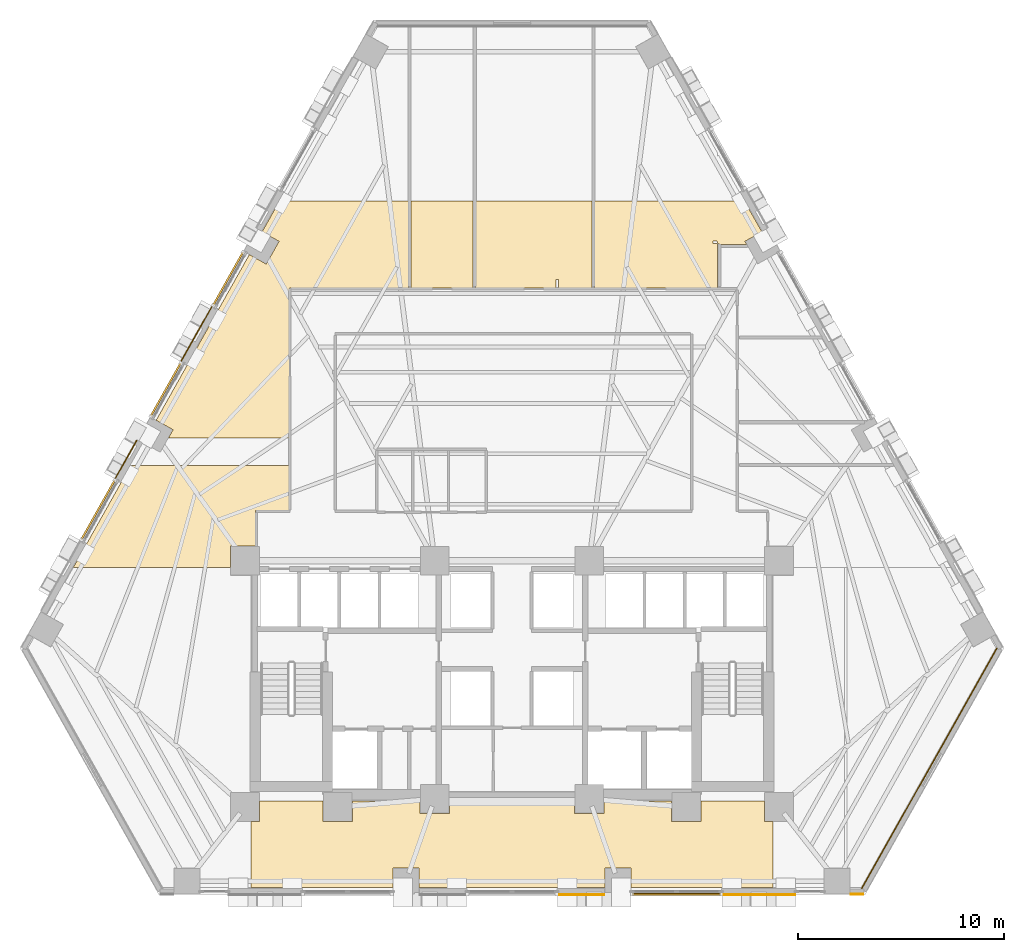
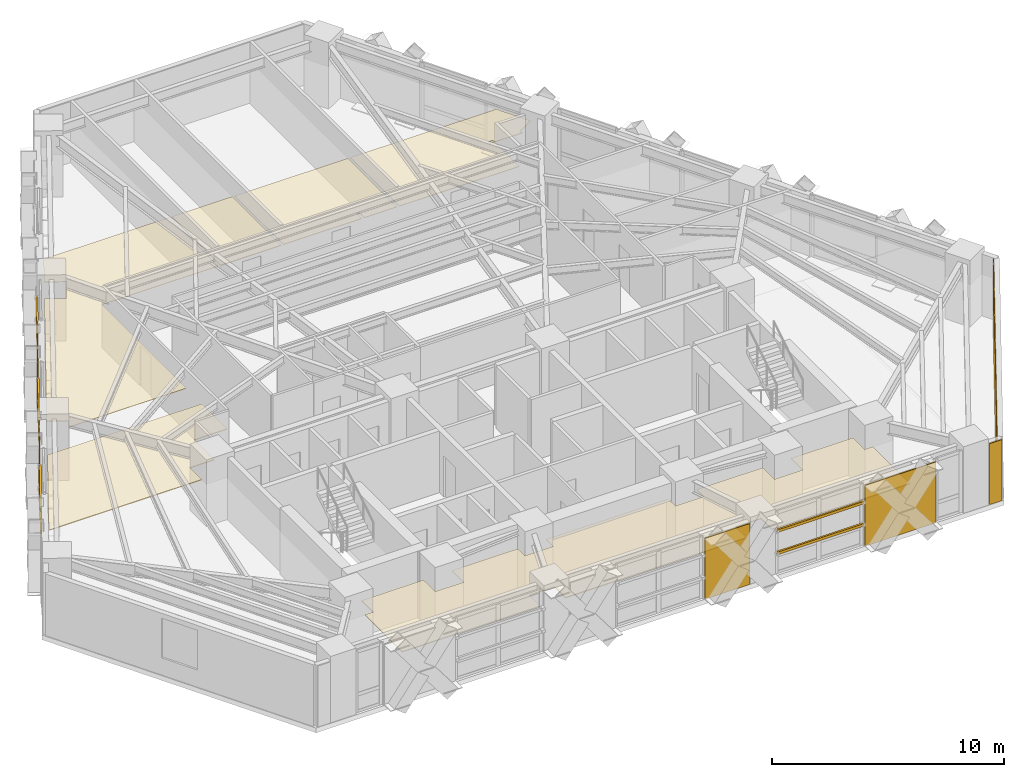
# One storey, part 11 of 13: 12 coverings, 8 shading devices.
"""IFC4 building model written with IfcOpenShell, lengths in metres."""

from ifc_helpers import new_model, si_unit, direction, frame, origin, origin_2d, place, context, subcontext, project, spatial, polyline, rectangle, outline, extrude, material, layer, layer_set, material_profile, profile_set, type_object, element, save


model = new_model("IFC4")

# Units and contexts
model_context = context("Model", 3, precision=1e-05, world=origin(), true_north=direction((0.0, 1.0)))
body_context = subcontext(model_context, "Body", "Model", "MODEL_VIEW")
ifc_project = project(units=[si_unit("LENGTHUNIT", "METRE"), si_unit("AREAUNIT", "SQUARE_METRE"), si_unit("VOLUMEUNIT", "CUBIC_METRE"), si_unit("PLANEANGLEUNIT", "RADIAN"), si_unit("MASSUNIT", "GRAM", prefix="KILO")], contexts=[model_context])

# Site, building, storey
site_placement = place(None, origin())
site = spatial("IfcSite", under=ifc_project, at=site_placement, CompositionType="ELEMENT")
building_placement = place(site_placement, origin())
building = spatial("IfcBuilding", under=site, at=building_placement, Name="Quenlor Broadcast Tower", CompositionType="ELEMENT")
storey_placement = place(building_placement, frame((0.0, 0.0, 31.10009765625)))
storey = spatial("IfcBuildingStorey", under=building, at=storey_placement, Name="L07", CompositionType="ELEMENT", Elevation=31.10009765625)

# Coverings
ifc_material_1 = material(Name="Acoustic Mineral Fibre Board", Category="other")
ifc_layer_1 = layer(ifc_material_1, 0.02490234375)
ifc_layer_set_1 = layer_set([ifc_layer_1], Name="Acoustic Perforated Mineral Tile Ceiling 25")
covering_type_1 = type_object("IfcCoveringType", Name="Acoustic Perforated Mineral Tile Ceiling 25", PredefinedType="CEILING", material=ifc_layer_set_1)
covering_1_placement = place(storey_placement, frame((0.0, 0.0, 2.224853515625)))
element("IfcCovering", 1, at=covering_1_placement, inside=storey, type_object=covering_type_1, Name="L07 Acoustic Ceiling L07-32", PredefinedType="CEILING", context=body_context, shape_type="SweptSolid", body=[
    extrude(outline(polyline([(-1.765869140625, 8.429931640625), (-1.765869140625, 12.64990234375), (3.8798828125, 12.64990234375), (3.8798828125, 8.429931640625), (2.260009765625, 8.429931640625), (2.260009765625, 8.85009765625), (2.139892578125, 8.85009765625), (2.139892578125, 8.429931640625), (-1.765869140625, 8.429931640625)])), origin(), (0.0, 0.0, 1.0), 0.025146484375),
])
covering_2_placement = place(storey_placement, frame((0.0, 0.0, 2.224853515625)))
element("IfcCovering", 2, at=covering_2_placement, inside=storey, type_object=covering_type_1, Name="L07 Acoustic Ceiling L07-33", PredefinedType="CEILING", context=body_context, shape_type="SweptSolid", body=[
    extrude(outline(polyline([(10.04248046875, 10.561279296875), (10.0166015625, 10.5751953125), (9.993896484375, 10.593994140625), (9.975341796875, 10.61669921875), (9.96142578125, 10.642578125), (9.952880859375, 10.670654296875), (9.949951171875, 10.699951171875), (9.75, 10.699951171875), (9.75, 10.580078125), (9.97998046875, 10.580078125), (9.97998046875, 8.429931640625), (4.0, 8.429931640625), (4.0, 12.64990234375), (11.27587890625, 12.64990234375), (12.122802734375, 11.154541015625), (11.301025390625, 10.6923828125), (11.381103515625, 10.550048828125), (10.10009765625, 10.550048828125), (10.07080078125, 10.552978515625), (10.04248046875, 10.561279296875)])), origin(), (0.0, 0.0, 1.0), 0.025146484375),
])
covering_3_placement = place(storey_placement, frame((0.0, 0.0, 2.224853515625)))
element("IfcCovering", 3, at=covering_3_placement, inside=storey, type_object=covering_type_1, Name="L07 Acoustic Ceiling L07-34", PredefinedType="CEILING", context=body_context, shape_type="SweptSolid", body=[
    extrude(outline(polyline([(-16.6630859375, 1.159912109375), (-16.44189453125, 1.552978515625), (-17.263671875, 2.015380859375), (-12.74365234375, 10.05126953125), (-11.921630859375, 9.5888671875), (-11.301025390625, 10.6923828125), (-12.122802734375, 11.154541015625), (-11.28173828125, 12.64990234375), (-5.02001953125, 12.64990234375), (-5.02001953125, 8.429931640625), (-10.804931640625, 8.429931640625), (-10.804931640625, 1.159912109375), (-16.6630859375, 1.159912109375)])), origin(), (0.0, 0.0, 1.0), 0.025146484375),
])
ifc_material_2 = material(Name="Acoustic Gypsum Board", Category="other")
ifc_layer_2 = layer(ifc_material_2, 0.0400390625)
ifc_layer_set_2 = layer_set([ifc_layer_2], Name="Broadcast Studio Spring Isolated Ceiling 40")
covering_type_2 = type_object("IfcCoveringType", Name="Broadcast Studio Spring Isolated Ceiling 40", PredefinedType="CEILING", material=ifc_layer_set_2)
covering_4_placement = place(storey_placement, frame((0.0, 0.0, 2.2099609375)))
element("IfcCovering", 4, at=covering_4_placement, inside=storey, type_object=covering_type_2, Name="L07 Acoustic Ceiling L07-31", PredefinedType="CEILING", context=body_context, shape_type="SweptSolid", body=[
    extrude(outline(polyline([(-1.8857421875, 8.429931640625), (-4.89990234375, 8.429931640625), (-4.89990234375, 12.64990234375), (-1.8857421875, 12.64990234375), (-1.8857421875, 8.429931640625)])), origin(), (0.0, 0.0, 1.0), 0.0400390625),
])
covering_5_placement = place(storey_placement, frame((0.0, 0.0, 2.2099609375)))
element("IfcCovering", 5, at=covering_5_placement, inside=storey, type_object=covering_type_2, Name="L07 Acoustic Ceiling L07-38", PredefinedType="CEILING", context=body_context, shape_type="SweptSolid", body=[
    extrude(outline(polyline([(-12.43994140625, -2.3701171875), (-12.43994140625, -4.092041015625), (-13.657958984375, -4.092041015625), (-13.657958984375, -5.1201171875), (-21.27734375, -5.1201171875), (-18.50439453125, -0.190185546875), (-10.804931640625, -0.190185546875), (-10.804931640625, -2.3701171875), (-12.43994140625, -2.3701171875)])), origin(), (0.0, 0.0, 1.0), 0.0400390625),
])
covering_6_placement = place(storey_placement, frame((0.0, 0.0, 2.2099609375)))
element("IfcCovering", 6, at=covering_6_placement, inside=storey, type_object=covering_type_2, Name="L07 Acoustic Ceiling L07-38-6", PredefinedType="CEILING", context=body_context, shape_type="SweptSolid", body=[
    extrude(outline(polyline([(-12.241943359375, -17.4580078125), (-12.241943359375, -16.449951171875), (-9.157958984375, -16.449951171875), (-9.157958984375, -17.4580078125), (-7.741943359375, -17.4580078125), (-7.741943359375, -16.449951171875), (-4.4580078125, -16.449951171875), (-4.4580078125, -17.05810546875), (-3.0419921875, -17.05810546875), (-3.0419921875, -16.449951171875), (3.0419921875, -16.449951171875), (3.0419921875, -17.05810546875), (4.4580078125, -17.05810546875), (4.4580078125, -16.449951171875), (7.741943359375, -16.449951171875), (7.741943359375, -17.4580078125), (9.157958984375, -17.4580078125), (9.157958984375, -16.449951171875), (12.241943359375, -16.449951171875), (12.241943359375, -17.4580078125), (12.64990234375, -17.4580078125), (12.64990234375, -20.659912109375), (5.773681640625, -20.659912109375), (5.773681640625, -19.717041015625), (4.5078125, -19.717041015625), (4.5078125, -20.659912109375), (-4.5078125, -20.659912109375), (-4.5078125, -19.717041015625), (-5.773681640625, -19.717041015625), (-5.773681640625, -20.659912109375), (-12.64990234375, -20.659912109375), (-12.64990234375, -17.4580078125), (-12.241943359375, -17.4580078125)])), origin(), (0.0, 0.0, 1.0), 0.0400390625),
])

# Shading devices
ifc_material_3 = material(Name="Architectural Terracotta Ceramic", Category="masonry")
ifc_material_profile = material_profile(ifc_material_3, rectangle(XDim=0.090087890625, YDim=0.139892578125, at=origin_2d()))
ifc_profile_set = profile_set([ifc_material_profile], Name="Architectural Terracotta Ceramic BAG90x140")
shading_device_type = type_object("IfcShadingDeviceType", Name="Copper Terracotta Baguette Solar Screen 140", PredefinedType="USERDEFINED", material=ifc_profile_set)
for number, where, z_axis, x_axis, name in (
    (7, (10.134765625, -20.98291015625, 1.169921875), (-1.0, 0.0, 0.0), (0.0, -1.0, 0.0), "L07 Terracotta Baguette Screen 1"),
    (8, (10.134765625, -20.98291015625, 2.33984375), (-1.0, 0.0, 0.0), (0.0, -1.0, 0.0), "L07 Terracotta Baguette Screen 2"),
):
    element("IfcShadingDevice", number, at=place(storey_placement, frame(where, z_axis=z_axis, x_axis=x_axis)), inside=storey, type_object=shading_device_type, Name=name, ObjectType="BAGUETTE", PredefinedType="USERDEFINED", context=body_context, shape_type="SweptSolid", body=[
        extrude(rectangle(XDim=0.090087890625, YDim=0.139892578125, at=origin_2d()), origin(), (0.0, 0.0, 1.0), 4.303955078125),
    ])
for number, where, z_axis, x_axis, name in (
    (9, (-20.889404296875, -3.771484375, 1.169921875), (0.490289331496, 0.871559734855, 0.0), (-0.871559734855, 0.490289331496, 0.0), "L07 Terracotta Baguette Screen 1"),
    (10, (-20.889404296875, -3.771484375, 2.33984375), (0.490289331496, 0.871559734855, 0.0), (-0.871559734855, 0.490289331496, 0.0), "L07 Terracotta Baguette Screen 2"),
):
    element("IfcShadingDevice", number, at=place(storey_placement, frame(where, z_axis=z_axis, x_axis=x_axis)), inside=storey, type_object=shading_device_type, Name=name, ObjectType="BAGUETTE", PredefinedType="USERDEFINED", context=body_context, shape_type="SweptSolid", body=[
        extrude(rectangle(XDim=0.090087890625, YDim=0.139892578125, at=origin_2d()), origin(), (0.0, 0.0, 1.0), 3.301025390625),
    ])
for number, where, z_axis, x_axis, name in (
    (11, (-17.519775390625, 2.21923828125, 1.169921875), (0.490339873784, 0.871531300744, 0.0), (-0.871531300744, 0.490339873784, 0.0), "L07 Terracotta Baguette Screen 1"),
    (12, (-17.519775390625, 2.21923828125, 2.33984375), (0.490339873784, 0.871531300744, 0.0), (-0.871531300744, 0.490339873784, 0.0), "L07 Terracotta Baguette Screen 2"),
):
    element("IfcShadingDevice", number, at=place(storey_placement, frame(where, z_axis=z_axis, x_axis=x_axis)), inside=storey, type_object=shading_device_type, Name=name, ObjectType="BAGUETTE", PredefinedType="USERDEFINED", context=body_context, shape_type="SweptSolid", body=[
        extrude(rectangle(XDim=0.090087890625, YDim=0.139892578125, at=origin_2d()), origin(), (0.0, 0.0, 1.0), 2.947998046875),
    ])
for number, where, z_axis, x_axis, name in (
    (13, (-14.495849609375, 7.5947265625, 1.169921875), (0.490241581092, 0.871586594762, 0.0), (-0.871586594762, 0.490241581092, 0.0), "L07 Terracotta Baguette Screen 1"),
    (14, (-14.495849609375, 7.5947265625, 2.33984375), (0.490241581092, 0.871586594762, 0.0), (-0.871586594762, 0.490241581092, 0.0), "L07 Terracotta Baguette Screen 2"),
):
    element("IfcShadingDevice", number, at=place(storey_placement, frame(where, z_axis=z_axis, x_axis=x_axis)), inside=storey, type_object=shading_device_type, Name=name, ObjectType="BAGUETTE", PredefinedType="USERDEFINED", context=body_context, shape_type="SweptSolid", body=[
        extrude(rectangle(XDim=0.090087890625, YDim=0.139892578125, at=origin_2d()), origin(), (0.0, 0.0, 1.0), 2.9482421875),
    ])

# Coverings
ifc_material_4 = material(Name="Architectural Terracotta Ceramic", Category="masonry")
ifc_layer_3 = layer(ifc_material_4, 0.044921875)
ifc_layer_set_3 = layer_set([ifc_layer_3], Name="Fluted Terracotta Rainscreen Cladding Panel")
covering_type_3 = type_object("IfcCoveringType", Name="Fluted Terracotta Rainscreen Cladding Panel", PredefinedType="CLADDING", material=ifc_layer_set_3)
covering_7_placement = place(storey_placement, frame((0.0, 0.0, 0.02001953125)))
element("IfcCovering", 15, at=covering_7_placement, inside=storey, type_object=covering_type_3, Name="L07 Terracotta Rainscreen Cladding L07-SHD-SS0", PredefinedType="CLADDING", context=body_context, shape_type="SweptSolid", body=[
    extrude(outline(polyline([(17.0458984375, -20.951904296875), (16.425048828125, -20.951904296875), (16.425048828125, -20.9970703125), (17.0458984375, -20.9970703125), (17.0458984375, -20.951904296875)])), origin(), (0.0, 0.0, 1.0), 3.2099609375),
])
covering_8_placement = place(storey_placement, frame((0.0, 0.0, 0.02001953125)))
element("IfcCovering", 16, at=covering_8_placement, inside=storey, type_object=covering_type_3, Name="L07 Terracotta Rainscreen Cladding L07-SA-SP1", PredefinedType="CLADDING", context=body_context, shape_type="SweptSolid", body=[
    extrude(outline(polyline([(13.73681640625, -20.98193359375), (10.20458984375, -20.98193359375), (10.20458984375, -21.027099609375), (13.73681640625, -21.027099609375), (13.73681640625, -20.98193359375)])), origin(), (0.0, 0.0, 1.0), 3.2099609375),
])
covering_9_placement = place(storey_placement, frame((0.0, 0.0, 0.02001953125)))
element("IfcCovering", 17, at=covering_9_placement, inside=storey, type_object=covering_type_3, Name="L07 Terracotta Rainscreen Cladding L07-S-SP1", PredefinedType="CLADDING", context=body_context, shape_type="SweptSolid", body=[
    extrude(outline(polyline([(4.4658203125, -20.98193359375), (2.22412109375, -20.98193359375), (2.22412109375, -21.027099609375), (4.4658203125, -21.027099609375), (4.4658203125, -20.98193359375)])), origin(), (0.0, 0.0, 1.0), 3.2099609375),
])
covering_10_placement = place(storey_placement, frame((0.0, 0.0, 0.02001953125)))
element("IfcCovering", 18, at=covering_10_placement, inside=storey, type_object=covering_type_3, Name="L07 Terracotta Rainscreen Cladding L07-NWA-SP2", PredefinedType="CLADDING", context=body_context, shape_type="SweptSolid", body=[
    extrude(outline(polyline([(-19.236083984375, -0.833984375), (-18.18798828125, 1.029052734375), (-18.227294921875, 1.051025390625), (-19.275146484375, -0.81201171875), (-19.236083984375, -0.833984375)])), origin(), (0.0, 0.0, 1.0), 3.2099609375),
])
covering_11_placement = place(storey_placement, frame((0.0, 0.0, 0.02001953125)))
element("IfcCovering", 19, at=covering_11_placement, inside=storey, type_object=covering_type_3, Name="L07 Terracotta Rainscreen Cladding L07-NW-SP1", PredefinedType="CLADDING", context=body_context, shape_type="SweptSolid", body=[
    extrude(outline(polyline([(-16.039306640625, 4.84912109375), (-14.529296875, 7.533203125), (-14.568603515625, 7.555419921875), (-16.078369140625, 4.87109375), (-16.039306640625, 4.84912109375)])), origin(), (0.0, 0.0, 1.0), 3.2099609375),
])
covering_12_placement = place(storey_placement, frame((0.0, 0.0, 0.02001953125)))
element("IfcCovering", 20, at=covering_12_placement, inside=storey, type_object=covering_type_3, Name="L07 Terracotta Rainscreen Cladding L07-CNR-06", PredefinedType="CLADDING", context=body_context, shape_type="SweptSolid", body=[
    extrude(outline(polyline([(16.98388671875, -20.71533203125), (23.547607421875, -9.046875), (23.50830078125, -9.02490234375), (16.94482421875, -20.693359375), (16.98388671875, -20.71533203125)])), origin(), (0.0, 0.0, 1.0), 3.2099609375),
])

save(model, "model.ifc")
